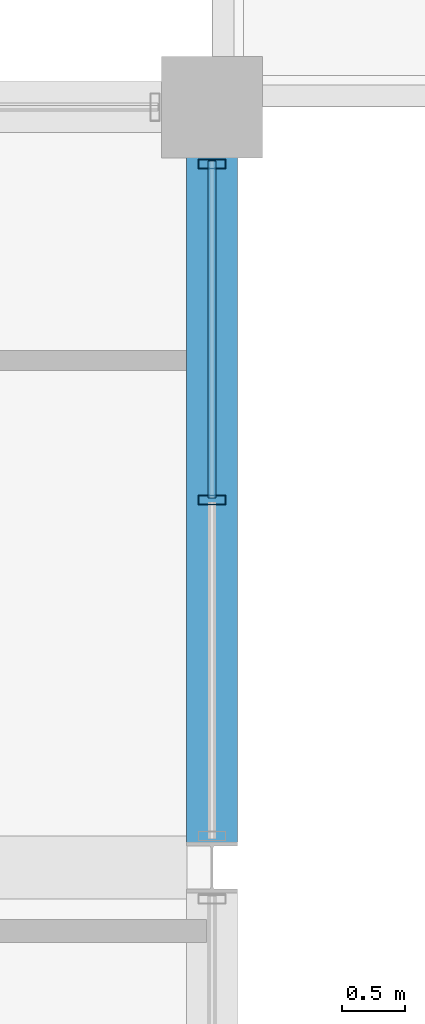
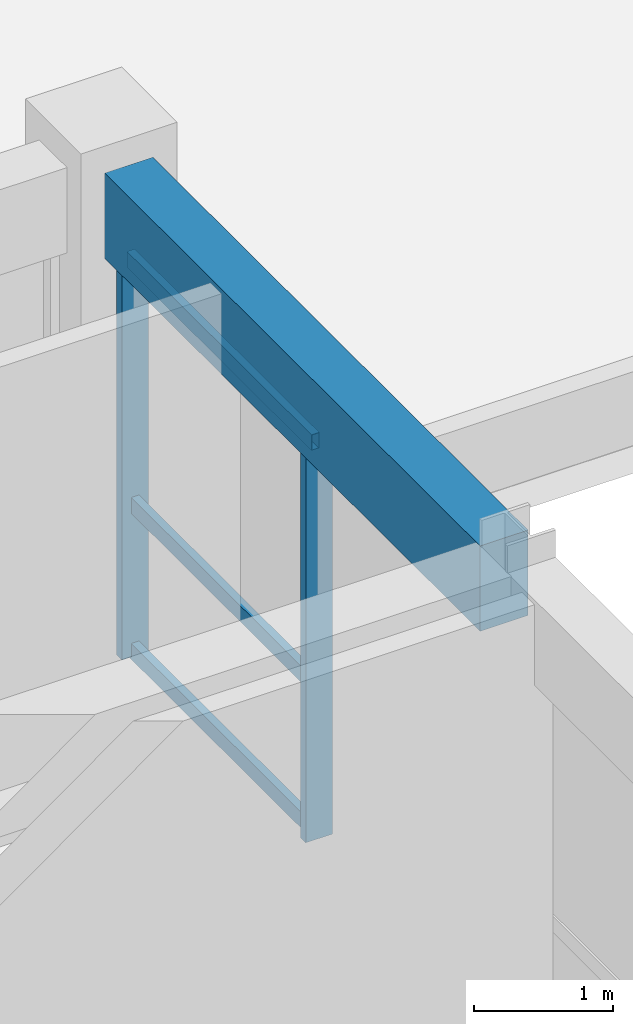
# One storey, part 72 of 133: 5 members, 1 beam, 1 element without a shape of its own.
"""IFC4 building model written with IfcOpenShell, lengths in metres."""

from ifc_helpers import new_model, si_unit, direction, frame, origin, origin_2d, place, context, subcontext, project, spatial, rectangle, hollow_rectangle, extrude, material, material_profile, profile_set, type_object, element, aggregate, save


model = new_model("IFC4")

# Units and contexts
model_context = context("Model", 3, precision=1e-05, world=origin(), true_north=direction((0.0, 1.0)))
body_context = subcontext(model_context, "Body", "Model", "MODEL_VIEW")
ifc_project = project(units=[si_unit("LENGTHUNIT", "METRE"), si_unit("AREAUNIT", "SQUARE_METRE"), si_unit("VOLUMEUNIT", "CUBIC_METRE"), si_unit("PLANEANGLEUNIT", "RADIAN"), si_unit("MASSUNIT", "GRAM", prefix="KILO"), si_unit("THERMODYNAMICTEMPERATUREUNIT", "KELVIN"), si_unit("POWERUNIT", "WATT")], contexts=[model_context])

# Site, building, storey
site_placement = place(None, origin())
site = spatial("IfcSite", under=ifc_project, at=site_placement, CompositionType="ELEMENT")
building_placement = place(site_placement, origin())
building = spatial("IfcBuilding", under=site, at=building_placement, Name="Phaisarnlok Congress Hotel", CompositionType="ELEMENT")
storey_placement = place(building_placement, frame((0.0, 0.0, 6.0)))
storey = spatial("IfcBuildingStorey", under=building, at=storey_placement, Name="L01", CompositionType="ELEMENT", Elevation=6.0)

# Curtain wall, members
ifc_material_1 = material(Name="Thermally Broken Unitised Aluminium & Low-E Glazing", Category="aluminium")
curtain_wall_type = type_object("IfcCurtainWallType", Name="CW-UNIT-17", PredefinedType="NOTDEFINED", material=ifc_material_1)
curtain_wall_placement = place(storey_placement, origin())
curtain_wall = element("IfcCurtainWall", 1, at=curtain_wall_placement, inside=storey, type_object=curtain_wall_type, Name="Unitised curtain wall CW-17 (L01)", PredefinedType="NOTDEFINED")
ifc_material_2 = material(Name="Anodised Aluminium Alloy 6063-T6", Category="aluminium")
ifc_material_profile_1 = material_profile(ifc_material_2, hollow_rectangle(XDim=0.074951171875, YDim=0.219970703125, WallThickness=0.0048828125, at=origin_2d()), Name="ALU-M 75x220x5")
ifc_profile_set_1 = profile_set([ifc_material_profile_1], Name="Anodised Aluminium Alloy 6063-T6")
member_type_1 = type_object("IfcMemberType", Name="CWM-220", PredefinedType="MULLION", material=ifc_profile_set_1)
member_1_placement = place(storey_placement, frame((144.0, 92.899658203125, 0.0), z_axis=(0.0, 0.0, 1.0), x_axis=(0.0, 1.0, 0.0)))
member_1 = element("IfcMember", 2, at=member_1_placement, type_object=member_type_1, Name="Curtain wall mullion CWM-02", PredefinedType="MULLION", context=body_context, shape_type="SweptSolid", body=[
    extrude(hollow_rectangle(XDim=0.074951171875, YDim=0.219970703125, WallThickness=0.0048828125, at=origin_2d()), origin(), (0.0, 0.0, 1.0), 3.510009765625),
])
member_2_placement = place(storey_placement, frame((144.0, 95.550048828125, 0.0), z_axis=(0.0, 0.0, 1.0), x_axis=(0.0, 1.0, 0.0)))
member_2 = element("IfcMember", 3, at=member_2_placement, type_object=member_type_1, Name="Curtain wall mullion CWM-02", PredefinedType="MULLION", context=body_context, shape_type="SweptSolid", body=[
    extrude(hollow_rectangle(XDim=0.074951171875, YDim=0.219970703125, WallThickness=0.0048828125, at=origin_2d()), origin(), (0.0, 0.0, 1.0), 3.510009765625),
])
ifc_material_profile_2 = material_profile(ifc_material_2, hollow_rectangle(XDim=0.06494140625, YDim=0.139892578125, WallThickness=0.00390625, at=origin_2d()), Name="ALU-T 65x140x4")
ifc_profile_set_2 = profile_set([ifc_material_profile_2], Name="Anodised Aluminium Alloy 6063-T6")
member_type_2 = type_object("IfcMemberType", Name="CWT-150", PredefinedType="USERDEFINED", material=ifc_profile_set_2)
member_3_placement = place(storey_placement, frame((144.0, 92.914794921875, 0.050048828125), z_axis=(0.0, 1.0, 0.0), x_axis=(-1.0, 0.0, 0.0)))
member_3 = element("IfcMember", 4, at=member_3_placement, type_object=member_type_2, Name="Curtain wall transom CWT-01", ObjectType="TRANSOM", PredefinedType="USERDEFINED", context=body_context, shape_type="SweptSolid", body=[
    extrude(hollow_rectangle(XDim=0.06494140625, YDim=0.139892578125, WallThickness=0.00390625, at=origin_2d()), origin(), (0.0, 0.0, 1.0), 2.66015625),
])
member_4_placement = place(storey_placement, frame((144.0, 92.914794921875, 1.333740234375), z_axis=(0.0, 1.0, 0.0), x_axis=(-1.0, 0.0, 0.0)))
member_4 = element("IfcMember", 5, at=member_4_placement, type_object=member_type_2, Name="Curtain wall transom CWT-01", ObjectType="TRANSOM", PredefinedType="USERDEFINED", context=body_context, shape_type="SweptSolid", body=[
    extrude(hollow_rectangle(XDim=0.06494140625, YDim=0.139892578125, WallThickness=0.00390625, at=origin_2d()), origin(), (0.0, 0.0, 1.0), 2.66015625),
])
member_5_placement = place(storey_placement, frame((144.0, 92.914794921875, 3.4599609375), z_axis=(0.0, 1.0, 0.0), x_axis=(-1.0, 0.0, 0.0)))
member_5 = element("IfcMember", 6, at=member_5_placement, type_object=member_type_2, Name="Curtain wall transom CWT-01", ObjectType="TRANSOM", PredefinedType="USERDEFINED", context=body_context, shape_type="SweptSolid", body=[
    extrude(hollow_rectangle(XDim=0.06494140625, YDim=0.139892578125, WallThickness=0.00390625, at=origin_2d()), origin(), (0.0, 0.0, 1.0), 2.66015625),
])
aggregate(curtain_wall, [member_1, member_2, member_3, member_4, member_5])

# Beam
ifc_material_3 = material(Name="Concrete C40/50", Category="concrete")
ifc_material_profile_3 = material_profile(ifc_material_3, rectangle(XDim=0.39990234375, YDim=0.75, at=origin_2d()), Name="RC 400x750")
ifc_profile_set_3 = profile_set([ifc_material_profile_3], Name="Concrete C40/50")
beam_type = type_object("IfcBeamType", Name="SP-RC-400x750", PredefinedType="SPANDREL", material=ifc_profile_set_3)
beam_placement = place(storey_placement, frame((144.0, 90.194580078125, 3.885009765625), z_axis=(0.0, 1.0, 0.0), x_axis=(-1.0, 0.0, 0.0)))
element("IfcBeam", 7, at=beam_placement, inside=storey, type_object=beam_type, Name="Beam SP-02", PredefinedType="SPANDREL", context=body_context, shape_type="SweptSolid", body=[
    extrude(rectangle(XDim=0.39990234375, YDim=0.75, at=origin_2d()), origin(), (0.0, 0.0, 1.0), 5.410400390625),
])

save(model, "model.ifc")
